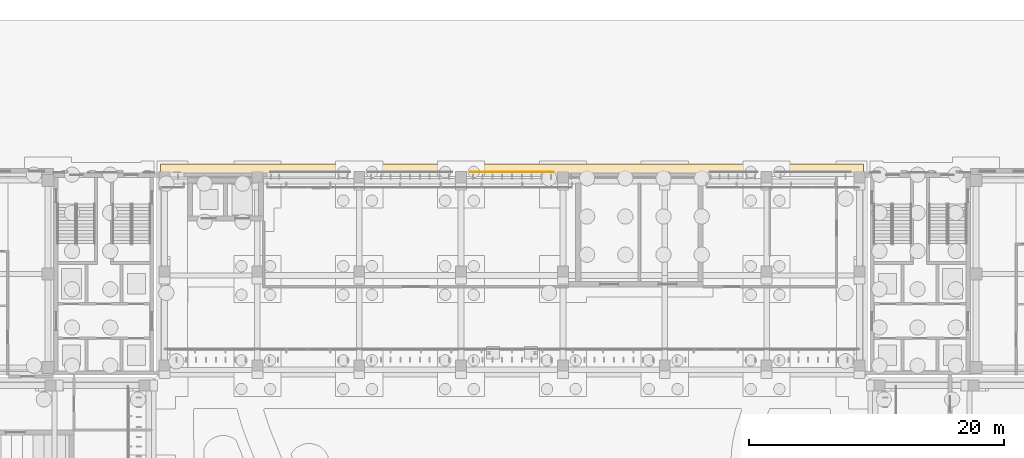
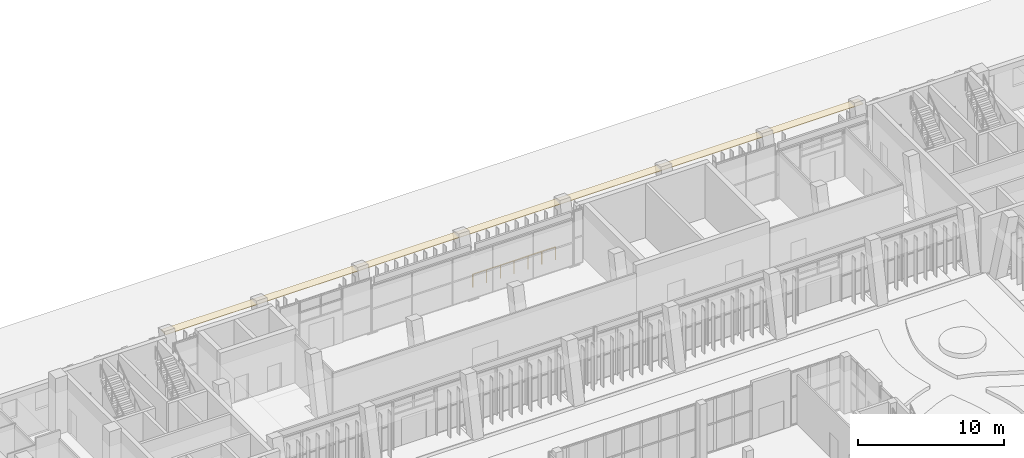
# One storey, part 136 of 144: 1 covering, 1 railing.
"""IFC4 building model written with IfcOpenShell, lengths in metres."""

import ifcopenshell
import ifcopenshell.guid

model = None  # the IFC model being written
_history = None  # IfcOwnerHistory: only IFC2X3 demands one
_inside = {}  # id of a spatial element -> (the spatial element, [elements in it])
_under = {}  # id of a project, library or spatial element -> (it, [spatial elements below it])
_declared = {}  # id of a project -> (the project, [libraries it declares])
_typed = {}  # id of a type object -> (the type object, [elements of that type])
_made_of = {}  # id of a material, layer set ... -> (it, [elements and type objects made of it])


def new_model(schema):
    """Start an empty IFC model of exactly this schema.

    Asked for "IFC4X3", IfcOpenShell would pick the latest addendum, in which some entities
    have other attributes; the version numbers below select the first issue.
    IFC2X3 requires an IfcOwnerHistory on every rooted entity: one is made here for all.
    """
    global model, _history
    if schema == "IFC4X3":
        model = ifcopenshell.file(schema_version=(4, 3, 0, 0))
    else:
        model = ifcopenshell.file(schema=schema)
    _inside.clear()
    _under.clear()
    _declared.clear()
    _typed.clear()
    _made_of.clear()
    _history = None
    if model.schema == "IFC2X3":
        org = make("IfcOrganization", Name="unknown")
        user = make(
            "IfcPersonAndOrganization",
            ThePerson=make("IfcPerson", FamilyName="unknown"),
            TheOrganization=org,
        )
        app = make(
            "IfcApplication",
            ApplicationDeveloper=org,
            Version="unknown",
            ApplicationFullName="unknown",
            ApplicationIdentifier="unknown",
        )
        _history = make(
            "IfcOwnerHistory",
            OwningUser=user,
            OwningApplication=app,
            ChangeAction="ADDED",
            CreationDate=0,
        )
    return model


def make(cls, **values):
    """One entity of the class cls with the attributes given. An attribute that is None is left unset."""
    return model.create_entity(
        cls, **{name: value for name, value in values.items() if value is not None}
    )


def rooted(cls, **values):
    """An entity with a GlobalId (a new one), such as an element, a storey or a relation."""
    return make(cls, GlobalId=ifcopenshell.guid.new(), OwnerHistory=_history, **values)


def si_unit(unit_type, name, prefix=None):
    """IfcSIUnit, for example si_unit("LENGTHUNIT", "METRE", prefix="MILLI")."""
    return make("IfcSIUnit", UnitType=unit_type, Prefix=prefix, Name=name)


def assignment(units):
    """IfcUnitAssignment: the units of a project."""
    return None if units is None else make("IfcUnitAssignment", Units=units)


def point(xyz):
    """IfcCartesianPoint."""
    return None if xyz is None else make("IfcCartesianPoint", Coordinates=xyz)


def direction(xyz):
    """IfcDirection."""
    return None if xyz is None else make("IfcDirection", DirectionRatios=xyz)


def frame(location, z_axis=None, x_axis=None):
    """IfcAxis2Placement3D, a coordinate frame: its origin and axes. An axis left out is left unset."""
    return make(
        "IfcAxis2Placement3D",
        Location=point(location),
        Axis=direction(z_axis),
        RefDirection=direction(x_axis),
    )


def frame_2d(location, x_axis=None):
    """IfcAxis2Placement2D, a coordinate frame in the plane: its origin and x axis."""
    return make(
        "IfcAxis2Placement2D", Location=point(location), RefDirection=direction(x_axis)
    )


def origin():
    """The frame at (0, 0, 0) with its axes left unset."""
    return frame((0.0, 0.0, 0.0))


def origin_2d():
    """The frame at (0, 0) in the plane with its x axis left unset."""
    return frame_2d((0.0, 0.0))


def place(relative_to, where):
    """IfcLocalPlacement: puts the frame where relative to a parent placement (None: the world)."""
    return make(
        "IfcLocalPlacement", PlacementRelTo=relative_to, RelativePlacement=where
    )


def context(
    kind, dimensions, precision=None, world=None, true_north=None, identifier=None
):
    """IfcGeometricRepresentationContext, for example the 3D "Model" context."""
    return make(
        "IfcGeometricRepresentationContext",
        ContextIdentifier=identifier,
        ContextType=kind,
        CoordinateSpaceDimension=dimensions,
        Precision=precision,
        WorldCoordinateSystem=world,
        TrueNorth=true_north,
    )


def subcontext(parent, identifier, kind, view, scale=None):
    """IfcGeometricRepresentationSubContext, for example "Body" below "Model"."""
    return make(
        "IfcGeometricRepresentationSubContext",
        ContextIdentifier=identifier,
        ContextType=kind,
        ParentContext=parent,
        TargetScale=scale,
        TargetView=view,
    )


def project(units=None, contexts=None):
    """IfcProject with its units and contexts."""
    return rooted(
        "IfcProject",
        Name="project",
        RepresentationContexts=contexts,
        UnitsInContext=assignment(units),
    )


def spatial(cls, under=None, at=None, **own):
    """A site, building, storey or space (cls), placed at a placement, below another one or the project."""
    s = rooted(cls, ObjectPlacement=at, **own)
    if under is not None:
        _under.setdefault(under.id(), (under, []))[1].append(s)
    return s


def profile(cls, at=None, kind="AREA", **sizes):
    """A parametric profile (cls). Its sizes go by their IFC names, for example OverallWidth=200.0."""
    return make(cls, ProfileType=kind, Position=at, **sizes)


def rectangle(**sizes):
    """IfcRectangleProfileDef."""
    return profile("IfcRectangleProfileDef", **sizes)


def circle(**sizes):
    """IfcCircleProfileDef."""
    return profile("IfcCircleProfileDef", **sizes)


def extrude(swept, where, along, depth):
    """IfcExtrudedAreaSolid: the profile swept, set in the frame where, extruded along a direction by depth."""
    return make(
        "IfcExtrudedAreaSolid",
        SweptArea=swept,
        Position=where,
        ExtrudedDirection=direction(along),
        Depth=depth,
    )


def shape(context_of_items, identifier, shape_type, items):
    """IfcShapeRepresentation: the items that make up one representation, for example the "Body"."""
    return make(
        "IfcShapeRepresentation",
        ContextOfItems=context_of_items,
        RepresentationIdentifier=identifier,
        RepresentationType=shape_type,
        Items=items,
    )


def material(Name=None, Category=None):
    """IfcMaterial."""
    return make("IfcMaterial", Name=Name, Category=Category)


def layer(
    of_material, thickness, ventilated=None, Name=None, Category=None, Priority=None
):
    """IfcMaterialLayer: one layer of a wall or slab, of a material (None: an air gap)."""
    return make(
        "IfcMaterialLayer",
        Material=of_material,
        LayerThickness=thickness,
        IsVentilated=ventilated,
        Name=Name,
        Category=Category,
        Priority=Priority,
    )


def layer_set(layers, Name=None):
    """IfcMaterialLayerSet."""
    return make("IfcMaterialLayerSet", MaterialLayers=layers, LayerSetName=Name)


def made_of(thing, what):
    """Note that an element or type object is made of a material, layer set ...; save() writes the relation."""
    if what is not None:
        _made_of.setdefault(what.id(), (what, []))[1].append(thing)
    return thing


def type_object(cls, material=None, **own):
    """A type object (cls), such as IfcWallType, which elements share."""
    return made_of(rooted(cls, **own), material)


def element(
    cls,
    number,
    at=None,
    inside=None,
    cuts=None,
    type_object=None,
    material=None,
    context=None,
    identifier="Body",
    shape_type=None,
    held_by="IfcProductDefinitionShape",
    body=None,
    shapes=None,
    **own,
):
    """One element of the class cls, such as IfcWall. Its Tag is "e" and its number.

    at: its placement. inside: the storey or other place that contains it. cuts: it is an
    opening in that element (IfcRelVoidsElement). A single representation is given by context,
    identifier, shape_type and body (its items); several are given by shapes. held_by: the class
    of the entity that holds the representations. save() writes the other relations.
    """
    e = rooted(cls, Tag="e%d" % number, ObjectPlacement=at, **own)
    if body is not None:
        shapes = [shape(context, identifier, shape_type, body)]
    if shapes is not None:
        e.Representation = make(held_by, Representations=shapes)
    if inside is not None:
        _inside.setdefault(inside.id(), (inside, []))[1].append(e)
    if cuts is not None:
        rooted(
            "IfcRelVoidsElement", RelatingBuildingElement=cuts, RelatedOpeningElement=e
        )
    if type_object is not None:
        _typed.setdefault(type_object.id(), (type_object, []))[1].append(e)
    return made_of(e, material)


def aggregate(whole, parts):
    """IfcRelAggregates: a whole, such as a stair, and the parts it consists of."""
    return rooted("IfcRelAggregates", RelatingObject=whole, RelatedObjects=parts)


def save(model, path):
    """Write the relations noted so far, then the file.

    IfcRelAggregates (storeys below a building ...), IfcRelContainedInSpatialStructure (elements
    in a storey), IfcRelDefinesByType, IfcRelAssociatesMaterial and IfcRelDeclares: one each for
    every whole, place, type object, material and project.
    """
    for whole, parts in _under.values():
        aggregate(whole, parts)
    for where, things in _inside.values():
        rooted(
            "IfcRelContainedInSpatialStructure",
            RelatedElements=things,
            RelatingStructure=where,
        )
    for kind, things in _typed.values():
        rooted("IfcRelDefinesByType", RelatedObjects=things, RelatingType=kind)
    for what, things in _made_of.values():
        rooted("IfcRelAssociatesMaterial", RelatedObjects=things, RelatingMaterial=what)
    for by, libraries in _declared.values():
        rooted("IfcRelDeclares", RelatingContext=by, RelatedDefinitions=libraries)
    model.write(path)


model = new_model("IFC4")

# Units and contexts
model_context = context("Model", 3, precision=1e-05, world=origin(), true_north=direction((0.0, 1.0)))
body_context = subcontext(model_context, "Body", "Model", "MODEL_VIEW")
ifc_project = project(units=[si_unit("LENGTHUNIT", "METRE"), si_unit("AREAUNIT", "SQUARE_METRE"), si_unit("VOLUMEUNIT", "CUBIC_METRE"), si_unit("PLANEANGLEUNIT", "RADIAN"), si_unit("MASSUNIT", "GRAM", prefix="KILO")], contexts=[model_context])

# Site, building, storey
site_placement = place(None, origin())
site = spatial("IfcSite", under=ifc_project, at=site_placement, CompositionType="ELEMENT")
building_placement = place(site_placement, origin())
building = spatial("IfcBuilding", under=site, at=building_placement, Name="Lantern Court Media Centre", CompositionType="ELEMENT")
storey_placement = place(building_placement, origin())
storey = spatial("IfcBuildingStorey", under=building, at=storey_placement, Name="L00", CompositionType="ELEMENT", Elevation=0.0)

# Railing
ifc_material_1 = material(Name="Powder-coated steel", Category="steel")
railing_type = type_object("IfcRailingType", Name="Floor edge guard 1100", PredefinedType="GUARDRAIL", material=ifc_material_1)
railing_placement = place(storey_placement, frame((55.27490234375, 112.06005859375, 0.0)))
element("IfcRailing", 1, at=railing_placement, inside=storey, type_object=railing_type, Name="L00 opening guard 22", PredefinedType="GUARDRAIL", context=body_context, shape_type="SweptSolid", body=[
    extrude(circle(Radius=0.02392578125, at=origin_2d()), frame((0.0, 0.0, 1.076171875), z_axis=(-1.0, 0.0, 0.0), x_axis=(0.0, -1.0, 0.0)), (0.0, 0.0, 1.0), 6.5498046875),
    extrude(circle(Radius=0.02099609375, at=origin_2d()), origin(), (0.0, 0.0, 1.0), 1.052001953125),
    extrude(circle(Radius=0.02099609375, at=origin_2d()), frame((-1.091552734375, 0.0, 0.0)), (0.0, 0.0, 1.0), 1.052001953125),
    extrude(circle(Radius=0.02099609375, at=origin_2d()), frame((-2.183349609375, 0.0, 0.0)), (0.0, 0.0, 1.0), 1.052001953125),
    extrude(circle(Radius=0.02099609375, at=origin_2d()), frame((-3.27490234375, 0.0, 0.0)), (0.0, 0.0, 1.0), 1.052001953125),
    extrude(circle(Radius=0.02099609375, at=origin_2d()), frame((-4.366455078125, 0.0, 0.0)), (0.0, 0.0, 1.0), 1.052001953125),
    extrude(circle(Radius=0.02099609375, at=origin_2d()), frame((-5.458251953125, 0.0, 0.0)), (0.0, 0.0, 1.0), 1.052001953125),
    extrude(circle(Radius=0.02099609375, at=origin_2d()), frame((-6.5498046875, 0.0, 0.0)), (0.0, 0.0, 1.0), 1.052001953125),
])

# Covering
ifc_material_2 = material(Name="White fibre cement soffit board")
ifc_layer = layer(ifc_material_2, 0.0400390625)
ifc_layer_set = layer_set([ifc_layer], Name="White fibre cement soffit board")
covering_type = type_object("IfcCoveringType", Name="Soffit lining 40", PredefinedType="CLADDING", material=ifc_layer_set)
covering_placement = place(storey_placement, frame((24.39990234375, 112.35009765625, 4.5400390625), z_axis=(0.0, 0.0, 1.0), x_axis=(1.0, 0.0, 0.0)))
element("IfcCovering", 2, at=covering_placement, inside=storey, type_object=covering_type, Name="Soffit lining N L00", PredefinedType="CLADDING", context=body_context, shape_type="SweptSolid", body=[
    extrude(rectangle(XDim=55.2001953125, YDim=0.699951171875, at=frame_2d((27.60009765625, 0.0))), origin(), (0.0, 0.0, 1.0), 0.0400390625),
])

save(model, "model.ifc")
